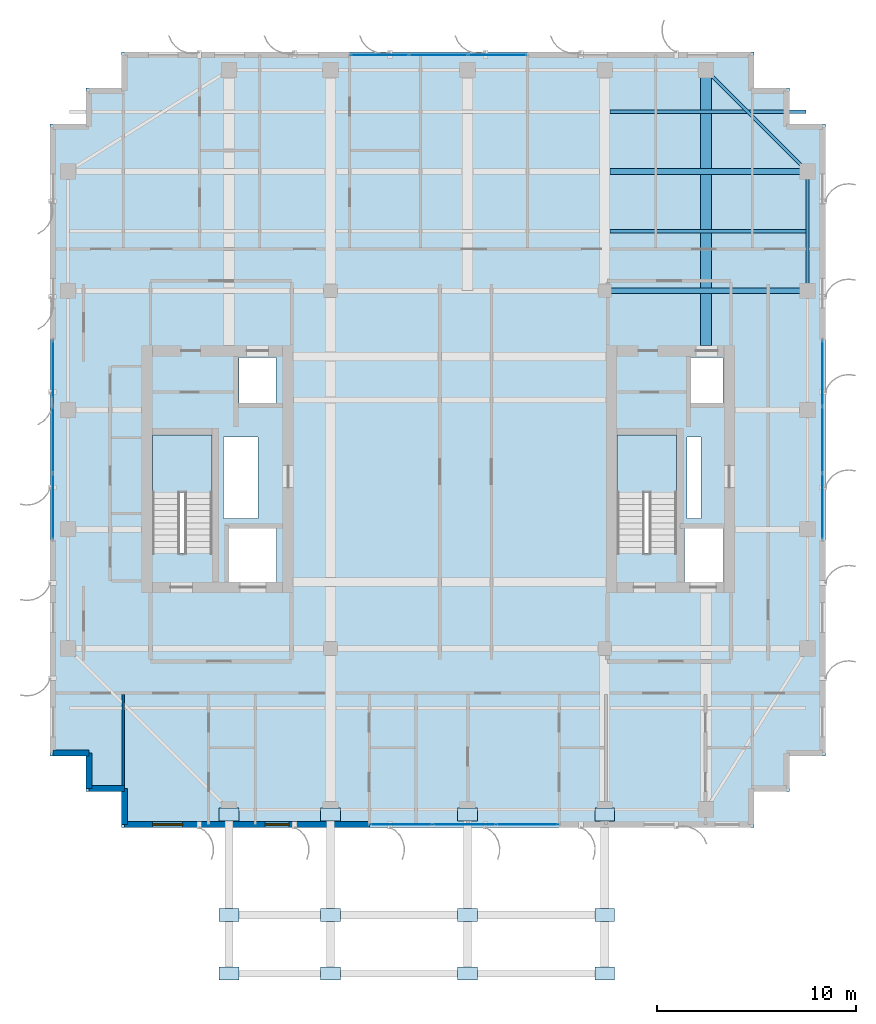
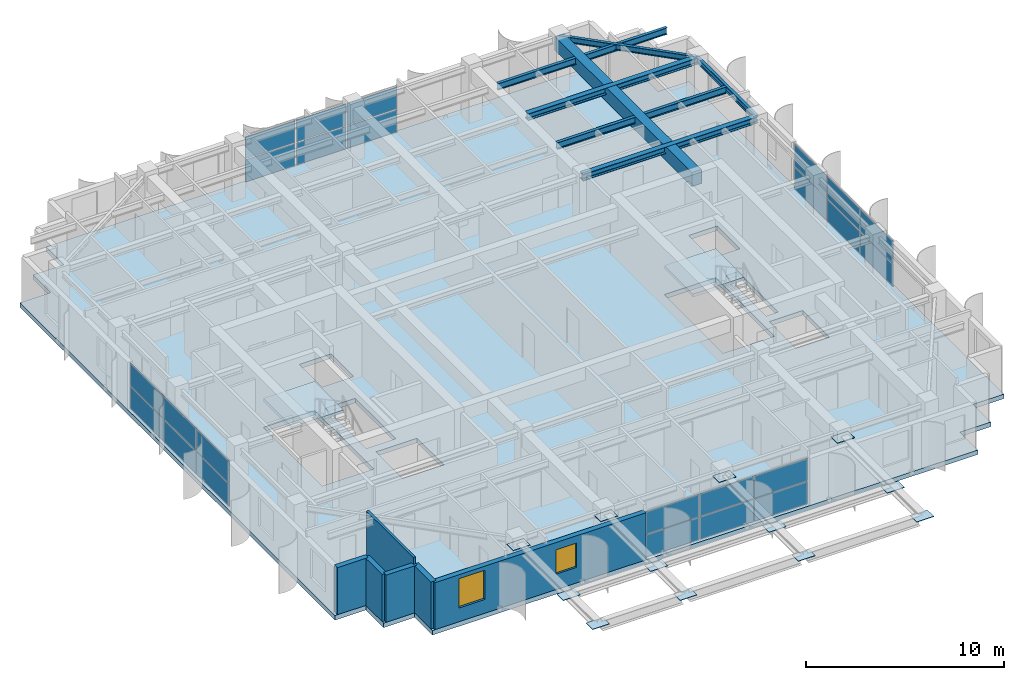
# One storey, part 13 of 19: 36 plates, 7 beams, 6 walls, 3 slabs, 2 windows, 2 openings, 6 elements without a shape of their own.
"""IFC4 building model written with IfcOpenShell, lengths in metres."""

from ifc_helpers import new_model, si_unit, direction, frame, frame_2d, origin, origin_2d, place, context, subcontext, project, spatial, polyline, rectangle, i_section, outline, extrude, source, transform, mapped, material, layer, layer_set, material_profile, profile_set, type_object, element, fill, aggregate, save


model = new_model("IFC4")

# Units and contexts
model_context = context("Model", 3, precision=1e-05, world=origin(), true_north=direction((0.0, 1.0)))
body_context = subcontext(model_context, "Body", "Model", "MODEL_VIEW")
ifc_project = project(units=[si_unit("LENGTHUNIT", "METRE"), si_unit("AREAUNIT", "SQUARE_METRE"), si_unit("VOLUMEUNIT", "CUBIC_METRE"), si_unit("PLANEANGLEUNIT", "RADIAN"), si_unit("MASSUNIT", "GRAM", prefix="KILO")], contexts=[model_context])

# Site, building, storey
site_placement = place(None, origin())
site = spatial("IfcSite", under=ifc_project, at=site_placement, CompositionType="ELEMENT")
building_placement = place(site_placement, origin())
building = spatial("IfcBuilding", under=site, at=building_placement, Name="Khoralis Quay Care Tower", CompositionType="ELEMENT")
storey_placement = place(building_placement, frame((0.0, 0.0, 281.699951171875)))
storey = spatial("IfcBuildingStorey", under=building, at=storey_placement, Name="L74", CompositionType="ELEMENT", Elevation=281.699951171875)

# Beams
ifc_material_1 = material(Name="Steel S355", Category="steel")
ifc_material_profile_1 = material_profile(ifc_material_1, i_section(OverallWidth=0.169921875, OverallDepth=0.360107421875, WebThickness=0.008056640625, FlangeThickness=0.0126953125, FilletRadius=0.01806640625, at=origin_2d()), Name="Steel S355")
ifc_profile_set_1 = profile_set([ifc_material_profile_1], Name="Steel S355")
beam_type_1 = type_object("IfcBeamType", Name="BM-IPE360", PredefinedType="SPANDREL", material=ifc_profile_set_1)
shared_shape_1 = source(origin(), body_context, "Body", "SweptSolid", [
    extrude(i_section(OverallWidth=0.169921875, OverallDepth=0.360107421875, WebThickness=0.008056640625, FlangeThickness=0.0126953125, FilletRadius=0.01806640625, at=origin_2d()), origin(), (0.0, 0.0, 1.0), 6.0),
])
beam_1_placement = place(storey_placement, frame((41.10009765625, 30.0, 3.14013671875), z_axis=(0.0, 1.0, 0.0), x_axis=(-1.0, 0.0, 0.0)))
element("IfcBeam", 1, at=beam_1_placement, inside=storey, type_object=beam_type_1, Name="BM-TSP-L74-16", PredefinedType="SPANDREL", context=body_context, shape_type="MappedRepresentation", body=[
    mapped(shared_shape_1, transform((0.0, 0.0, 0.0), scale=1.0)),
])
shared_shape_2 = source(origin(), body_context, "Body", "SweptSolid", [
    extrude(i_section(OverallWidth=0.169921875, OverallDepth=0.360107421875, WebThickness=0.008056640625, FlangeThickness=0.0126953125, FilletRadius=0.01806640625, at=origin_2d()), origin(), (0.0, 0.0, 1.0), 7.212646484375),
])
beam_2_placement = place(storey_placement, frame((36.0, 41.10009765625, 3.14013671875), z_axis=(0.707106781187, -0.707106781187, 0.0), x_axis=(0.707106781187, 0.707106781187, 0.0)))
element("IfcBeam", 2, at=beam_2_placement, inside=storey, type_object=beam_type_1, Name="BM-TCR-L74-20", PredefinedType="SPANDREL", context=body_context, shape_type="MappedRepresentation", body=[
    mapped(shared_shape_2, transform((0.0, 0.0, 0.0), scale=1.0)),
])
ifc_material_profile_2 = material_profile(ifc_material_1, i_section(OverallWidth=0.300048828125, OverallDepth=0.39990234375, WebThickness=0.013427734375, FlangeThickness=0.02392578125, FilletRadius=0.027099609375, at=origin_2d()), Name="Steel S355")
ifc_profile_set_2 = profile_set([ifc_material_profile_2], Name="Steel S355")
beam_type_2 = type_object("IfcBeamType", Name="BM-HEB400", PredefinedType="BEAM", material=ifc_profile_set_2)
shared_shape_3 = source(origin(), body_context, "Body", "SweptSolid", [
    extrude(i_section(OverallWidth=0.300048828125, OverallDepth=0.39990234375, WebThickness=0.013427734375, FlangeThickness=0.02392578125, FilletRadius=0.027099609375, at=origin_2d()), origin(), (0.0, 0.0, 1.0), 10.2001953125),
])
beam_3_placement = place(storey_placement, frame((30.89990234375, 30.0, 3.1201171875), z_axis=(1.0, 0.0, 0.0), x_axis=(0.0, 1.0, 0.0)))
element("IfcBeam", 3, at=beam_3_placement, inside=storey, type_object=beam_type_2, Name="BM-TGXE-L74-300", PredefinedType="BEAM", context=body_context, shape_type="MappedRepresentation", body=[
    mapped(shared_shape_3, transform((0.0, 0.0, 0.0), scale=1.0)),
])
shared_shape_4 = source(origin(), body_context, "Body", "SweptSolid", [
    extrude(i_section(OverallWidth=0.300048828125, OverallDepth=0.39990234375, WebThickness=0.013427734375, FlangeThickness=0.02392578125, FilletRadius=0.027099609375, at=origin_2d()), origin(), (0.0, 0.0, 1.0), 9.93701171875),
])
beam_4_placement = place(storey_placement, frame((31.1630859375, 36.0, 3.1201171875), z_axis=(1.0, 0.0, 0.0), x_axis=(0.0, 1.0, 0.0)))
element("IfcBeam", 4, at=beam_4_placement, inside=storey, type_object=beam_type_2, Name="BM-TGXE-L74-360", PredefinedType="BEAM", context=body_context, shape_type="MappedRepresentation", body=[
    mapped(shared_shape_4, transform((0.0, 0.0, 0.0), scale=1.0)),
])
ifc_material_2 = material(Name="Concrete C50/60", Category="concrete")
ifc_material_profile_3 = material_profile(ifc_material_2, rectangle(XDim=0.550048828125, YDim=0.85009765625, at=origin_2d()), Name="Concrete C50/60")
ifc_profile_set_3 = profile_set([ifc_material_profile_3], Name="Concrete C50/60")
beam_type_3 = type_object("IfcBeamType", Name="BM-RC550X850", PredefinedType="BEAM", material=ifc_profile_set_3)
shared_shape_5 = source(origin(), body_context, "Body", "SweptSolid", [
    extrude(rectangle(XDim=0.550048828125, YDim=0.85009765625, at=origin_2d()), origin(), (0.0, 0.0, 1.0), 13.85205078125),
])
beam_5_placement = place(storey_placement, frame((36.0, 27.248046875, 2.89501953125), z_axis=(0.0, 1.0, 0.0), x_axis=(-1.0, 0.0, 0.0)))
element("IfcBeam", 5, at=beam_5_placement, inside=storey, type_object=beam_type_3, Name="BM-TGYN-L74-360", PredefinedType="BEAM", context=body_context, shape_type="MappedRepresentation", body=[
    mapped(shared_shape_5, transform((0.0, 0.0, 0.0), scale=1.0)),
])
ifc_material_profile_4 = material_profile(ifc_material_1, i_section(OverallWidth=0.177978515625, OverallDepth=0.406982421875, WebThickness=0.0078125, FlangeThickness=0.0126953125, FilletRadius=0.012939453125, at=origin_2d()), Name="Steel S355")
ifc_profile_set_4 = profile_set([ifc_material_profile_4], Name="Steel S355")
beam_type_4 = type_object("IfcBeamType", Name="BM-W410X60", PredefinedType="JOIST", material=ifc_profile_set_4)
shared_shape_6 = source(origin(), body_context, "Body", "SweptSolid", [
    extrude(i_section(OverallWidth=0.177978515625, OverallDepth=0.406982421875, WebThickness=0.0078125, FlangeThickness=0.0126953125, FilletRadius=0.012939453125, at=origin_2d()), origin(), (0.0, 0.0, 1.0), 9.865966796875),
])
for number, where, z_axis, x_axis, name in (
    (6, (31.1630859375, 33.0, 3.116455078125), (1.0, 0.0, 0.0), (0.0, 1.0, 0.0), "BM-TJS-L74-25"),
    (7, (31.1630859375, 39.0, 3.116455078125), (1.0, 0.0, 0.0), (0.0, 1.0, 0.0), "BM-TJS-L74-28"),
):
    element("IfcBeam", number, at=place(storey_placement, frame(where, z_axis=z_axis, x_axis=x_axis)), inside=storey, type_object=beam_type_4, Name=name, PredefinedType="JOIST", context=body_context, shape_type="MappedRepresentation", body=[
        mapped(shared_shape_6, transform((0.0, 0.0, 0.0), scale=1.0)),
    ])

# Stair, slab
ifc_material_3 = material(Name="Precast concrete C45/55", Category="concrete")
stair_type = type_object("IfcStairType", Name="ST-TWR-DOGLEG-1400", PredefinedType="HALF_TURN_STAIR", material=ifc_material_3)
stair_1_placement = place(storey_placement, origin())
stair_1 = element("IfcStair", 8, at=stair_1_placement, inside=storey, type_object=stair_type, Name="L74 West Core Exit Stair ST-T1", PredefinedType="HALF_TURN_STAIR")
ifc_layer_1 = layer(ifc_material_3, 0.199951171875)
ifc_layer_set_1 = layer_set([ifc_layer_1], Name="Precast concrete C45/55")
slab_type_1 = type_object("IfcSlabType", Name="SLB-LANDING-200", PredefinedType="LANDING", material=ifc_layer_set_1)
slab_1_placement = place(storey_placement, frame((0.0, 0.0, 1.60009765625)))
slab_1 = element("IfcSlab", 9, at=slab_1_placement, type_object=slab_type_1, Name="ST-T1 landing 1", PredefinedType="LANDING", context=body_context, shape_type="SweptSolid", body=[
    extrude(outline(polyline([(11.14990234375, 19.840087890625), (11.14990234375, 22.75), (8.14990234375, 22.75), (8.14990234375, 19.840087890625), (11.14990234375, 19.840087890625)])), origin(), (0.0, 0.0, 1.0), 0.199951171875),
])
aggregate(stair_1, [slab_1])

stair_2_placement = place(storey_placement, origin())
stair_2 = element("IfcStair", 10, at=stair_2_placement, inside=storey, type_object=stair_type, Name="L74 East Core Exit Stair ST-T2", PredefinedType="HALF_TURN_STAIR")
slab_2_placement = place(storey_placement, frame((0.0, 0.0, 1.60009765625)))
slab_2 = element("IfcSlab", 11, at=slab_2_placement, type_object=slab_type_1, Name="ST-T2 landing 1", PredefinedType="LANDING", context=body_context, shape_type="SweptSolid", body=[
    extrude(outline(polyline([(34.52001953125, 19.840087890625), (34.52001953125, 22.75), (31.52001953125, 22.75), (31.52001953125, 19.840087890625), (34.52001953125, 19.840087890625)])), origin(), (0.0, 0.0, 1.0), 0.199951171875),
])
aggregate(stair_2, [slab_2])

# Slab
ifc_material_4 = material(Name="Concrete C40/50", Category="concrete")
ifc_layer_2 = layer(ifc_material_4, 0.280029296875)
ifc_layer_set_2 = layer_set([ifc_layer_2], Name="Concrete C40/50")
slab_type_2 = type_object("IfcSlabType", Name="SLB-TWR-280", PredefinedType="FLOOR", material=ifc_layer_set_2)
slab_3_placement = place(storey_placement, frame((0.0, 0.0, -0.280029296875)))
element("IfcSlab", 12, at=slab_3_placement, inside=storey, type_object=slab_type_2, Name="Tower Floor Slab L74", PredefinedType="FLOOR", context=body_context, shape_type="SweptSolid", body=[
    extrude(outline(polyline([(6.60009765625, 3.0), (38.39990234375, 3.0), (38.39990234375, 4.800048828125), (40.199951171875, 4.800048828125), (40.199951171875, 6.60009765625), (42.0, 6.60009765625), (42.0, 38.39990234375), (40.199951171875, 38.39990234375), (40.199951171875, 40.199951171875), (38.39990234375, 40.199951171875), (38.39990234375, 42.0), (6.60009765625, 42.0), (6.60009765625, 40.199951171875), (4.800048828125, 40.199951171875), (4.800048828125, 38.39990234375), (3.0, 38.39990234375), (3.0, 6.60009765625), (4.800048828125, 6.60009765625), (4.800048828125, 4.800048828125), (6.60009765625, 4.800048828125), (6.60009765625, 3.0)]), holes=[polyline([(11.14990234375, 16.800048828125), (11.14990234375, 22.75), (8.14990234375, 22.75), (8.14990234375, 16.800048828125), (11.14990234375, 16.800048828125)]), polyline([(34.52001953125, 16.800048828125), (34.52001953125, 22.75), (31.52001953125, 22.75), (31.52001953125, 16.800048828125), (34.52001953125, 16.800048828125)]), polyline([(12.0, 15.35009765625), (14.39990234375, 15.35009765625), (14.39990234375, 18.050048828125), (12.0, 18.050048828125), (12.0, 15.35009765625)]), polyline([(34.919921875, 15.35009765625), (36.8798828125, 15.35009765625), (36.8798828125, 18.050048828125), (34.919921875, 18.050048828125), (34.919921875, 15.35009765625)]), polyline([(12.5, 24.35009765625), (14.35009765625, 24.35009765625), (14.35009765625, 26.64990234375), (12.5, 26.64990234375), (12.5, 24.35009765625)]), polyline([(35.199951171875, 24.35009765625), (36.85009765625, 24.35009765625), (36.85009765625, 26.64990234375), (35.199951171875, 26.64990234375), (35.199951171875, 24.35009765625)]), polyline([(11.719970703125, 18.550048828125), (13.449951171875, 18.550048828125), (13.449951171875, 22.64990234375), (11.719970703125, 22.64990234375), (11.719970703125, 18.550048828125)]), polyline([(35.050048828125, 18.550048828125), (35.75, 18.550048828125), (35.75, 22.64990234375), (35.050048828125, 22.64990234375), (35.050048828125, 18.550048828125)])]), origin(), (0.0, 0.0, 1.0), 0.280029296875),
])

# Plates
ifc_material_5 = material(Name="Steel S460", Category="steel")
ifc_layer_3 = layer(ifc_material_5, 0.031982421875)
ifc_layer_set_3 = layer_set([ifc_layer_3], Name="Steel S460")
plate_type_1 = type_object("IfcPlateType", Name="PLT-NODE-VPN1", PredefinedType="USERDEFINED", material=ifc_layer_set_3)
shared_shape_7 = source(origin(), body_context, "Body", "SweptSolid", [
    extrude(rectangle(XDim=1.0, YDim=0.64990234375, at=origin_2d()), origin(), (0.0, 0.0, 1.0), 0.031982421875),
])
for number, where, z_axis, x_axis, name in (
    (13, (12.0, 3.659912109375, 2.98388671875), (0.0, 0.0, 1.0), (1.0, 0.0, 0.0), "PLT-SPND-1-36-2847"),
    (14, (12.0, -1.39990234375, 2.98388671875), (0.0, 0.0, 1.0), (1.0, 0.0, 0.0), "PLT-SPND-1-14-2847"),
    (15, (12.0, -4.35009765625, 2.98388671875), (0.0, 0.0, 1.0), (1.0, 0.0, 0.0), "PLT-SPND-1-43-2847"),
    (16, (17.10009765625, 3.659912109375, 2.98388671875), (0.0, 0.0, 1.0), (1.0, 0.0, 0.0), "PLT-SPND-2-36-2847"),
    (17, (17.10009765625, -1.39990234375, 2.98388671875), (0.0, 0.0, 1.0), (1.0, 0.0, 0.0), "PLT-SPND-2-14-2847"),
    (18, (17.10009765625, -4.35009765625, 2.98388671875), (0.0, 0.0, 1.0), (1.0, 0.0, 0.0), "PLT-SPND-2-43-2847"),
    (19, (24.0, 3.659912109375, 2.98388671875), (0.0, 0.0, 1.0), (1.0, 0.0, 0.0), "PLT-SPND-3-36-2847"),
    (20, (24.0, -1.39990234375, 2.98388671875), (0.0, 0.0, 1.0), (1.0, 0.0, 0.0), "PLT-SPND-3-14-2847"),
    (21, (24.0, -4.35009765625, 2.98388671875), (0.0, 0.0, 1.0), (1.0, 0.0, 0.0), "PLT-SPND-3-43-2847"),
    (22, (30.89990234375, 3.659912109375, 2.98388671875), (0.0, 0.0, 1.0), (1.0, 0.0, 0.0), "PLT-SPND-4-36-2847"),
    (23, (30.89990234375, -1.39990234375, 2.98388671875), (0.0, 0.0, 1.0), (1.0, 0.0, 0.0), "PLT-SPND-4-14-2847"),
    (24, (30.89990234375, -4.35009765625, 2.98388671875), (0.0, 0.0, 1.0), (1.0, 0.0, 0.0), "PLT-SPND-4-43-2847"),
):
    element("IfcPlate", number, at=place(storey_placement, frame(where, z_axis=z_axis, x_axis=x_axis)), inside=storey, type_object=plate_type_1, Name=name, ObjectType="GUSSET_PLATE", PredefinedType="USERDEFINED", context=body_context, shape_type="MappedRepresentation", body=[
        mapped(shared_shape_7, transform((0.0, 0.0, 0.0), scale=1.0)),
    ])

# Curtain wall, plates
ifc_material_6 = material(Name="Pale anodised aluminium", Category="aluminium")
ifc_layer_4 = layer(ifc_material_6, 0.159912109375)
ifc_layer_set_4 = layer_set([ifc_layer_4], Name="Pale anodised aluminium")
curtain_wall_type = type_object("IfcCurtainWallType", Name="CW-SYS-Z3", PredefinedType="NOTDEFINED", material=ifc_layer_set_4)
curtain_wall_1_placement = place(storey_placement, origin())
curtain_wall_1 = element("IfcCurtainWall", 25, at=curtain_wall_1_placement, inside=storey, type_object=curtain_wall_type, Name="L74 Unitised Curtain Wall CW-L74-P1-E0", PredefinedType="NOTDEFINED")
ifc_material_7 = material(Name="Low-E solar-control double glazing", Category="glass")
ifc_layer_5 = layer(ifc_material_7, 0.031982421875)
ifc_layer_set_5 = layer_set([ifc_layer_5], Name="Low-E solar-control double glazing")
plate_type_2 = type_object("IfcPlateType", Name="PNL-VIS-32", PredefinedType="CURTAIN_PANEL", material=ifc_layer_set_5)
shared_shape_8 = source(origin(), body_context, "Body", "SweptSolid", [
    extrude(rectangle(XDim=3.09326171875, YDim=0.028076171875, at=origin_2d()), origin(), (0.0, 0.0, 1.0), 1.360107421875),
])
plate_1_placement = place(storey_placement, frame((20.666748046875, 3.14990234375, 0.06005859375), z_axis=(0.0, 0.0, 1.0), x_axis=(1.0, 0.0, 0.0)))
plate_1 = element("IfcPlate", 26, at=plate_1_placement, type_object=plate_type_2, Name="CW3 panel 1.1", PredefinedType="CURTAIN_PANEL", context=body_context, shape_type="MappedRepresentation", body=[
    mapped(shared_shape_8, transform((0.0, 0.0, 0.0), scale=1.0)),
])
plate_2_placement = place(storey_placement, frame((20.666748046875, 3.14990234375, 1.47998046875), z_axis=(0.0, 0.0, 1.0), x_axis=(1.0, 0.0, 0.0)))
plate_2 = element("IfcPlate", 27, at=plate_2_placement, type_object=plate_type_2, Name="CW3 panel 1.2", PredefinedType="CURTAIN_PANEL", context=body_context, shape_type="MappedRepresentation", body=[
    mapped(shared_shape_8, transform((0.0, 0.0, 0.0), scale=1.0)),
])
plate_3_placement = place(storey_placement, frame((27.00341796875, 3.14990234375, 0.06005859375), z_axis=(0.0, 0.0, 1.0), x_axis=(1.0, 0.0, 0.0)))
plate_3 = element("IfcPlate", 28, at=plate_3_placement, type_object=plate_type_2, Name="CW3 panel 3.1", PredefinedType="CURTAIN_PANEL", context=body_context, shape_type="MappedRepresentation", body=[
    mapped(shared_shape_8, transform((0.0, 0.0, 0.0), scale=1.0)),
])
plate_4_placement = place(storey_placement, frame((27.00341796875, 3.14990234375, 1.47998046875), z_axis=(0.0, 0.0, 1.0), x_axis=(1.0, 0.0, 0.0)))
plate_4 = element("IfcPlate", 29, at=plate_4_placement, type_object=plate_type_2, Name="CW3 panel 3.2", PredefinedType="CURTAIN_PANEL", context=body_context, shape_type="MappedRepresentation", body=[
    mapped(shared_shape_8, transform((0.0, 0.0, 0.0), scale=1.0)),
])
shared_shape_9 = source(origin(), body_context, "Body", "SweptSolid", [
    extrude(rectangle(XDim=3.123291015625, YDim=0.028076171875, at=origin_2d()), origin(), (0.0, 0.0, 1.0), 1.360107421875),
])
plate_5_placement = place(storey_placement, frame((23.8349609375, 3.14990234375, 0.06005859375), z_axis=(0.0, 0.0, 1.0), x_axis=(1.0, 0.0, 0.0)))
plate_5 = element("IfcPlate", 30, at=plate_5_placement, type_object=plate_type_2, Name="CW3 panel 2.1", PredefinedType="CURTAIN_PANEL", context=body_context, shape_type="MappedRepresentation", body=[
    mapped(shared_shape_9, transform((0.0, 0.0, 0.0), scale=1.0)),
])
plate_6_placement = place(storey_placement, frame((23.8349609375, 3.14990234375, 1.47998046875), z_axis=(0.0, 0.0, 1.0), x_axis=(1.0, 0.0, 0.0)))
plate_6 = element("IfcPlate", 31, at=plate_6_placement, type_object=plate_type_2, Name="CW3 panel 2.2", PredefinedType="CURTAIN_PANEL", context=body_context, shape_type="MappedRepresentation", body=[
    mapped(shared_shape_9, transform((0.0, 0.0, 0.0), scale=1.0)),
])
aggregate(curtain_wall_1, [plate_1, plate_2, plate_5, plate_6, plate_3, plate_4])

curtain_wall_2_placement = place(storey_placement, origin())
curtain_wall_2 = element("IfcCurtainWall", 32, at=curtain_wall_2_placement, inside=storey, type_object=curtain_wall_type, Name="L74 Unitised Curtain Wall CW-L74-P1-E5", PredefinedType="NOTDEFINED")
shared_shape_10 = source(origin(), body_context, "Body", "SweptSolid", [
    extrude(rectangle(XDim=3.27001953125, YDim=0.028076171875, at=origin_2d()), origin(), (0.0, 0.0, 1.0), 1.360107421875),
])
plate_7_placement = place(storey_placement, frame((41.85009765625, 19.155029296875, 0.06005859375), z_axis=(0.0, 0.0, 1.0), x_axis=(0.0, 1.0, 0.0)))
plate_7 = element("IfcPlate", 33, at=plate_7_placement, type_object=plate_type_2, Name="CW3 panel 1.1", PredefinedType="CURTAIN_PANEL", context=body_context, shape_type="MappedRepresentation", body=[
    mapped(shared_shape_10, transform((0.0, 0.0, 0.0), scale=1.0)),
])
plate_8_placement = place(storey_placement, frame((41.85009765625, 19.155029296875, 1.47998046875), z_axis=(0.0, 0.0, 1.0), x_axis=(0.0, 1.0, 0.0)))
plate_8 = element("IfcPlate", 34, at=plate_8_placement, type_object=plate_type_2, Name="CW3 panel 1.2", PredefinedType="CURTAIN_PANEL", context=body_context, shape_type="MappedRepresentation", body=[
    mapped(shared_shape_10, transform((0.0, 0.0, 0.0), scale=1.0)),
])
plate_9_placement = place(storey_placement, frame((41.85009765625, 25.844970703125, 0.06005859375), z_axis=(0.0, 0.0, 1.0), x_axis=(0.0, 1.0, 0.0)))
plate_9 = element("IfcPlate", 35, at=plate_9_placement, type_object=plate_type_2, Name="CW3 panel 3.1", PredefinedType="CURTAIN_PANEL", context=body_context, shape_type="MappedRepresentation", body=[
    mapped(shared_shape_10, transform((0.0, 0.0, 0.0), scale=1.0)),
])
plate_10_placement = place(storey_placement, frame((41.85009765625, 25.844970703125, 1.47998046875), z_axis=(0.0, 0.0, 1.0), x_axis=(0.0, 1.0, 0.0)))
plate_10 = element("IfcPlate", 36, at=plate_10_placement, type_object=plate_type_2, Name="CW3 panel 3.2", PredefinedType="CURTAIN_PANEL", context=body_context, shape_type="MappedRepresentation", body=[
    mapped(shared_shape_10, transform((0.0, 0.0, 0.0), scale=1.0)),
])

curtain_wall_3_placement = place(storey_placement, origin())
curtain_wall_3 = element("IfcCurtainWall", 37, at=curtain_wall_3_placement, inside=storey, type_object=curtain_wall_type, Name="L74 Unitised Curtain Wall CW-L74-P1-E15", PredefinedType="NOTDEFINED")
plate_11_placement = place(storey_placement, frame((3.14990234375, 25.844970703125, 0.06005859375), z_axis=(0.0, 0.0, 1.0), x_axis=(0.0, -1.0, 0.0)))
plate_11 = element("IfcPlate", 38, at=plate_11_placement, type_object=plate_type_2, Name="CW3 panel 1.1", PredefinedType="CURTAIN_PANEL", context=body_context, shape_type="MappedRepresentation", body=[
    mapped(shared_shape_10, transform((0.0, 0.0, 0.0), scale=1.0)),
])
plate_12_placement = place(storey_placement, frame((3.14990234375, 25.844970703125, 1.47998046875), z_axis=(0.0, 0.0, 1.0), x_axis=(0.0, -1.0, 0.0)))
plate_12 = element("IfcPlate", 39, at=plate_12_placement, type_object=plate_type_2, Name="CW3 panel 1.2", PredefinedType="CURTAIN_PANEL", context=body_context, shape_type="MappedRepresentation", body=[
    mapped(shared_shape_10, transform((0.0, 0.0, 0.0), scale=1.0)),
])
plate_13_placement = place(storey_placement, frame((3.14990234375, 19.155029296875, 0.06005859375), z_axis=(0.0, 0.0, 1.0), x_axis=(0.0, -1.0, 0.0)))
plate_13 = element("IfcPlate", 40, at=plate_13_placement, type_object=plate_type_2, Name="CW3 panel 3.1", PredefinedType="CURTAIN_PANEL", context=body_context, shape_type="MappedRepresentation", body=[
    mapped(shared_shape_10, transform((0.0, 0.0, 0.0), scale=1.0)),
])
plate_14_placement = place(storey_placement, frame((3.14990234375, 19.155029296875, 1.47998046875), z_axis=(0.0, 0.0, 1.0), x_axis=(0.0, -1.0, 0.0)))
plate_14 = element("IfcPlate", 41, at=plate_14_placement, type_object=plate_type_2, Name="CW3 panel 3.2", PredefinedType="CURTAIN_PANEL", context=body_context, shape_type="MappedRepresentation", body=[
    mapped(shared_shape_10, transform((0.0, 0.0, 0.0), scale=1.0)),
])

# Plate
shared_shape_11 = source(origin(), body_context, "Body", "SweptSolid", [
    extrude(rectangle(XDim=3.300048828125, YDim=0.028076171875, at=origin_2d()), origin(), (0.0, 0.0, 1.0), 1.360107421875),
])
plate_15_placement = place(storey_placement, frame((41.85009765625, 22.5, 0.06005859375), z_axis=(0.0, 0.0, 1.0), x_axis=(0.0, 1.0, 0.0)))
plate_15 = element("IfcPlate", 42, at=plate_15_placement, type_object=plate_type_2, Name="CW3 panel 2.1", PredefinedType="CURTAIN_PANEL", context=body_context, shape_type="MappedRepresentation", body=[
    mapped(shared_shape_11, transform((0.0, 0.0, 0.0), scale=1.0)),
])

plate_16_placement = place(storey_placement, frame((41.85009765625, 22.5, 1.47998046875), z_axis=(0.0, 0.0, 1.0), x_axis=(0.0, 1.0, 0.0)))
plate_16 = element("IfcPlate", 43, at=plate_16_placement, type_object=plate_type_2, Name="CW3 panel 2.2", PredefinedType="CURTAIN_PANEL", context=body_context, shape_type="MappedRepresentation", body=[
    mapped(shared_shape_11, transform((0.0, 0.0, 0.0), scale=1.0)),
])

aggregate(curtain_wall_2, [plate_7, plate_8, plate_15, plate_16, plate_9, plate_10])

plate_17_placement = place(storey_placement, frame((3.14990234375, 22.5, 0.06005859375), z_axis=(0.0, 0.0, 1.0), x_axis=(0.0, -1.0, 0.0)))
plate_17 = element("IfcPlate", 44, at=plate_17_placement, type_object=plate_type_2, Name="CW3 panel 2.1", PredefinedType="CURTAIN_PANEL", context=body_context, shape_type="MappedRepresentation", body=[
    mapped(shared_shape_11, transform((0.0, 0.0, 0.0), scale=1.0)),
])

plate_18_placement = place(storey_placement, frame((3.14990234375, 22.5, 1.47998046875), z_axis=(0.0, 0.0, 1.0), x_axis=(0.0, -1.0, 0.0)))
plate_18 = element("IfcPlate", 45, at=plate_18_placement, type_object=plate_type_2, Name="CW3 panel 2.2", PredefinedType="CURTAIN_PANEL", context=body_context, shape_type="MappedRepresentation", body=[
    mapped(shared_shape_11, transform((0.0, 0.0, 0.0), scale=1.0)),
])

aggregate(curtain_wall_3, [plate_11, plate_12, plate_17, plate_18, plate_13, plate_14])

# Curtain wall, plates
curtain_wall_4_placement = place(storey_placement, origin())
curtain_wall_4 = element("IfcCurtainWall", 46, at=curtain_wall_4_placement, inside=storey, type_object=curtain_wall_type, Name="L74 Unitised Curtain Wall CW-L74-P1-E10", PredefinedType="NOTDEFINED")
shared_shape_12 = source(origin(), body_context, "Body", "SweptSolid", [
    extrude(rectangle(XDim=2.889892578125, YDim=0.028076171875, at=origin_2d()), origin(), (0.0, 0.0, 1.0), 1.360107421875),
])
plate_19_placement = place(storey_placement, frame((25.5048828125, 41.85009765625, 0.06005859375), z_axis=(0.0, 0.0, 1.0), x_axis=(-1.0, 0.0, 0.0)))
plate_19 = element("IfcPlate", 47, at=plate_19_placement, type_object=plate_type_2, Name="CW3 panel 1.1", PredefinedType="CURTAIN_PANEL", context=body_context, shape_type="MappedRepresentation", body=[
    mapped(shared_shape_12, transform((0.0, 0.0, 0.0), scale=1.0)),
])
plate_20_placement = place(storey_placement, frame((25.5048828125, 41.85009765625, 1.47998046875), z_axis=(0.0, 0.0, 1.0), x_axis=(-1.0, 0.0, 0.0)))
plate_20 = element("IfcPlate", 48, at=plate_20_placement, type_object=plate_type_2, Name="CW3 panel 1.2", PredefinedType="CURTAIN_PANEL", context=body_context, shape_type="MappedRepresentation", body=[
    mapped(shared_shape_12, transform((0.0, 0.0, 0.0), scale=1.0)),
])
plate_21_placement = place(storey_placement, frame((19.574951171875, 41.85009765625, 0.06005859375), z_axis=(0.0, 0.0, 1.0), x_axis=(-1.0, 0.0, 0.0)))
plate_21 = element("IfcPlate", 49, at=plate_21_placement, type_object=plate_type_2, Name="CW3 panel 3.1", PredefinedType="CURTAIN_PANEL", context=body_context, shape_type="MappedRepresentation", body=[
    mapped(shared_shape_12, transform((0.0, 0.0, 0.0), scale=1.0)),
])
plate_22_placement = place(storey_placement, frame((19.574951171875, 41.85009765625, 1.47998046875), z_axis=(0.0, 0.0, 1.0), x_axis=(-1.0, 0.0, 0.0)))
plate_22 = element("IfcPlate", 50, at=plate_22_placement, type_object=plate_type_2, Name="CW3 panel 3.2", PredefinedType="CURTAIN_PANEL", context=body_context, shape_type="MappedRepresentation", body=[
    mapped(shared_shape_12, transform((0.0, 0.0, 0.0), scale=1.0)),
])
shared_shape_13 = source(origin(), body_context, "Body", "SweptSolid", [
    extrude(rectangle(XDim=2.919921875, YDim=0.028076171875, at=origin_2d()), origin(), (0.0, 0.0, 1.0), 1.360107421875),
])
plate_23_placement = place(storey_placement, frame((22.5400390625, 41.85009765625, 0.06005859375), z_axis=(0.0, 0.0, 1.0), x_axis=(-1.0, 0.0, 0.0)))
plate_23 = element("IfcPlate", 51, at=plate_23_placement, type_object=plate_type_2, Name="CW3 panel 2.1", PredefinedType="CURTAIN_PANEL", context=body_context, shape_type="MappedRepresentation", body=[
    mapped(shared_shape_13, transform((0.0, 0.0, 0.0), scale=1.0)),
])
plate_24_placement = place(storey_placement, frame((22.5400390625, 41.85009765625, 1.47998046875), z_axis=(0.0, 0.0, 1.0), x_axis=(-1.0, 0.0, 0.0)))
plate_24 = element("IfcPlate", 52, at=plate_24_placement, type_object=plate_type_2, Name="CW3 panel 2.2", PredefinedType="CURTAIN_PANEL", context=body_context, shape_type="MappedRepresentation", body=[
    mapped(shared_shape_13, transform((0.0, 0.0, 0.0), scale=1.0)),
])
aggregate(curtain_wall_4, [plate_19, plate_20, plate_23, plate_24, plate_21, plate_22])

# Wall, openings, windows
ifc_layer_6 = layer(ifc_material_3, 0.300048828125)
ifc_layer_set_6 = layer_set([ifc_layer_6], Name="Precast concrete C45/55")
wall_type_1 = type_object("IfcWallType", Name="WL-EXT-REF-300", PredefinedType="SOLIDWALL", material=ifc_layer_set_6)
wall_1_placement = place(storey_placement, frame((6.75, 3.14990234375, 0.0), z_axis=(0.0, 0.0, 1.0), x_axis=(1.0, 0.0, 0.0)))
wall_1 = element("IfcWall", 53, at=wall_1_placement, inside=storey, type_object=wall_type_1, Name="L74 External Facade Wall WL-EXT-L74-P1-E0A", PredefinedType="SOLIDWALL", context=body_context, shape_type="SweptSolid", body=[
    extrude(rectangle(XDim=12.31005859375, YDim=0.300048828125, at=frame_2d((6.155029296875, 0.0))), origin(), (0.0, 0.0, 1.0), 2.900146484375),
])
opening_1_placement = place(wall_1_placement, frame((1.409912109375, 0.0, 0.85009765625)))
opening_1 = element("IfcOpeningElement", 54, at=opening_1_placement, cuts=wall_1, Name="Opening W3", PredefinedType="OPENING", context=body_context, shape_type="SweptSolid", body=[
    extrude(rectangle(XDim=1.5, YDim=1.800048828125, at=frame_2d((0.75, 0.89990234375))), frame((0.0, 0.16015625, 0.0), z_axis=(0.0, -1.0, 0.0), x_axis=(1.0, 0.0, 0.0)), (0.0, 0.0, 1.0), 0.320068359375),
])
opening_2_placement = place(wall_1_placement, frame((7.06494140625, 0.0, 0.949951171875)))
opening_2 = element("IfcOpeningElement", 55, at=opening_2_placement, cuts=wall_1, Name="Opening W6", PredefinedType="OPENING", context=body_context, shape_type="SweptSolid", body=[
    extrude(rectangle(XDim=1.199951171875, YDim=1.5, at=frame_2d((0.60009765625, 0.75))), frame((0.0, 0.16015625, 0.0), z_axis=(0.0, -1.0, 0.0), x_axis=(1.0, 0.0, 0.0)), (0.0, 0.0, 1.0), 0.320068359375),
])
window_type_1 = type_object("IfcWindowType", Name="WN-CLIN-1500X1800", PartitioningType="SINGLE_PANEL", PredefinedType="WINDOW", material=ifc_material_7)
shared_shape_14 = source(origin(), body_context, "Body", "SweptSolid", [
    extrude(rectangle(XDim=1.5, YDim=1.800048828125, at=frame_2d((0.75, 0.89990234375))), frame((0.0, 0.030029296875, 0.0), z_axis=(0.0, -1.0, 0.0), x_axis=(1.0, 0.0, 0.0)), (0.0, 0.0, 1.0), 0.06005859375),
])
window_1_placement = place(opening_1_placement, origin())
window_1 = element("IfcWindow", 56, at=window_1_placement, inside=storey, type_object=window_type_1, Name="WN-L74-P1-E0A Facade Window 01", OverallHeight=1.800048828125, OverallWidth=1.5, PartitioningType="SINGLE_PANEL", PredefinedType="WINDOW", context=body_context, shape_type="MappedRepresentation", body=[
    mapped(shared_shape_14, transform((0.0, 0.0, 0.0), scale=1.0)),
])
fill(opening_1, window_1)
window_type_2 = type_object("IfcWindowType", Name="WN-SCH-1200X1500", PartitioningType="SINGLE_PANEL", PredefinedType="WINDOW", material=ifc_material_7)
shared_shape_15 = source(origin(), body_context, "Body", "SweptSolid", [
    extrude(rectangle(XDim=1.199951171875, YDim=1.5, at=frame_2d((0.60009765625, 0.75))), frame((0.0, 0.030029296875, 0.0), z_axis=(0.0, -1.0, 0.0), x_axis=(1.0, 0.0, 0.0)), (0.0, 0.0, 1.0), 0.06005859375),
])
window_2_placement = place(opening_2_placement, origin())
window_2 = element("IfcWindow", 57, at=window_2_placement, inside=storey, type_object=window_type_2, Name="WN-L74-P1-E0A Facade Window 02", OverallHeight=1.5, OverallWidth=1.199951171875, PartitioningType="SINGLE_PANEL", PredefinedType="WINDOW", context=body_context, shape_type="MappedRepresentation", body=[
    mapped(shared_shape_15, transform((0.0, 0.0, 0.0), scale=1.0)),
])
fill(opening_2, window_2)

# Walls
for number, where, z_axis, x_axis, name in (
    (58, (3.14990234375, 6.75, 0.0), (0.0, 0.0, 1.0), (1.0, 0.0, 0.0), "L74 External Facade Wall WL-EXT-L74-P1-C16"),
    (59, (4.949951171875, 6.75, 0.0), (0.0, 0.0, 1.0), (0.0, -1.0, 0.0), "L74 External Facade Wall WL-EXT-L74-P1-C17"),
    (60, (4.949951171875, 4.949951171875, 0.0), (0.0, 0.0, 1.0), (1.0, 0.0, 0.0), "L74 External Facade Wall WL-EXT-L74-P1-C18"),
    (61, (6.75, 4.949951171875, 0.0), (0.0, 0.0, 1.0), (0.0, -1.0, 0.0), "L74 External Facade Wall WL-EXT-L74-P1-C19"),
):
    element("IfcWall", number, at=place(storey_placement, frame(where, z_axis=z_axis, x_axis=x_axis)), inside=storey, type_object=wall_type_1, Name=name, PredefinedType="SOLIDWALL", context=body_context, shape_type="SweptSolid", body=[
        extrude(rectangle(XDim=1.800048828125, YDim=0.300048828125, at=frame_2d((0.89990234375, 0.0))), origin(), (0.0, 0.0, 1.0), 2.900146484375),
    ])
ifc_material_8 = material(Name="Gypsum plasterboard on acoustic metal stud")
ifc_layer_7 = layer(ifc_material_8, 0.139892578125)
ifc_layer_set_7 = layer_set([ifc_layer_7], Name="Gypsum plasterboard on acoustic metal stud")
wall_type_2 = type_object("IfcWallType", Name="WL-UNIT-140", PredefinedType="PARTITIONING", material=ifc_layer_set_7)
wall_2_placement = place(storey_placement, frame((6.679931640625, 4.945068359375, 0.0), z_axis=(0.0, 0.0, 1.0), x_axis=(0.0, 1.0, 0.0)))
element("IfcWall", 62, at=wall_2_placement, inside=storey, type_object=wall_type_2, Name="L74 SB Demising Wall 0", PredefinedType="PARTITIONING", context=body_context, shape_type="SweptSolid", body=[
    extrude(rectangle(XDim=4.737548828125, YDim=0.139892578125, at=frame_2d((2.36865234375, 0.0))), origin(), (0.0, 0.0, 1.0), 3.320068359375),
])

save(model, "model.ifc")
